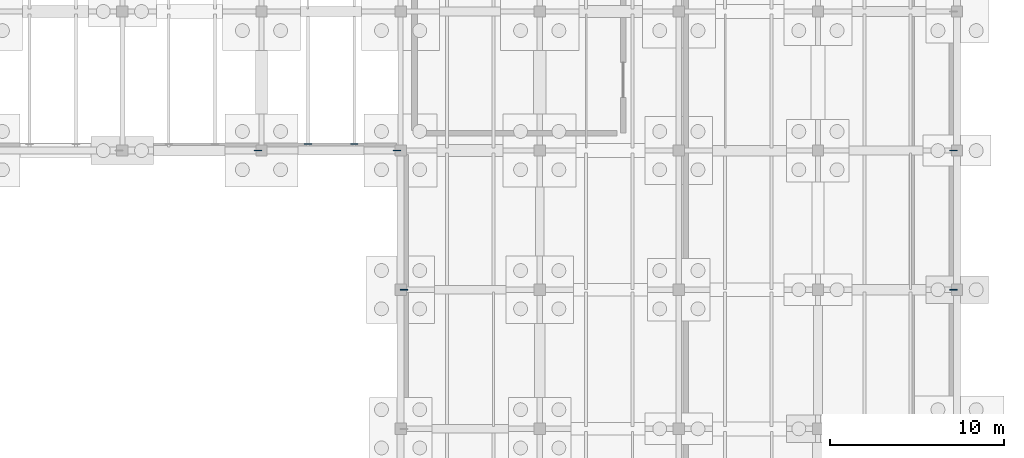
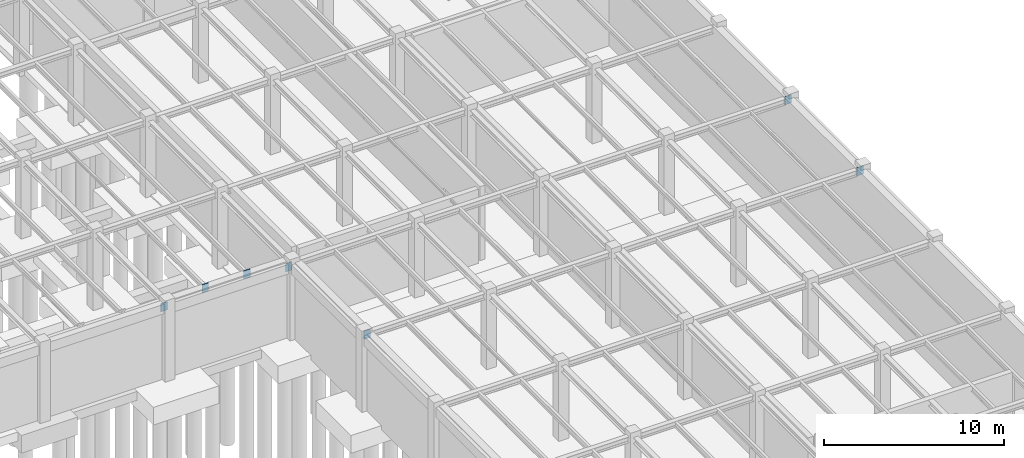
# One storey, part 49 of 71: 7 plates.
"""IFC4 building model written with IfcOpenShell, lengths in metres."""

from ifc_helpers import new_model, si_unit, direction, frame, origin, origin_2d, place, context, subcontext, project, spatial, rectangle, extrude, material, layer, layer_set, type_object, element, save


model = new_model("IFC4")

# Units and contexts
model_context = context("Model", 3, precision=1e-05, world=origin(), true_north=direction((0.0, 1.0)))
body_context = subcontext(model_context, "Body", "Model", "MODEL_VIEW")
ifc_project = project(units=[si_unit("LENGTHUNIT", "METRE"), si_unit("AREAUNIT", "SQUARE_METRE"), si_unit("VOLUMEUNIT", "CUBIC_METRE"), si_unit("PLANEANGLEUNIT", "RADIAN"), si_unit("MASSUNIT", "GRAM", prefix="KILO")], contexts=[model_context])

# Site, building, storey
site_placement = place(None, origin())
site = spatial("IfcSite", under=ifc_project, at=site_placement, CompositionType="ELEMENT")
building_placement = place(site_placement, origin())
building = spatial("IfcBuilding", under=site, at=building_placement, Name="Sundkrona Museum", CompositionType="ELEMENT")
storey_placement = place(building_placement, frame((0.0, 0.0, -5.39990234375)))
storey = spatial("IfcBuildingStorey", under=building, at=storey_placement, Name="B1", CompositionType="ELEMENT", Elevation=-5.39990234375)

# Plates
ifc_material = material(Name="Steel S355J2", Category="steel")
ifc_layer = layer(ifc_material, 0.034912109375)
ifc_layer_set = layer_set([ifc_layer], Name="Steel S355J2")
plate_type = type_object("IfcPlateType", Name="EP-1", PredefinedType="USERDEFINED", material=ifc_layer_set)
for number, where, z_axis, x_axis, name in (
    (1, (136.199951171875, 70.0, 4.56982421875), (0.0, 0.0, 1.0), (1.0, 0.0, 0.0), "Structural Wall Cast-In Embed Plate BM-B1-X-0093-1"),
    (2, (167.800048828125, 70.0, 4.56982421875), (0.0, 0.0, 1.0), (1.0, 0.0, 0.0), "Structural Wall Cast-In Embed Plate BM-B1-X-0096-2"),
    (3, (127.800048828125, 78.0, 4.514892578125), (0.0, 0.0, 1.0), (1.0, 0.0, 0.0), "Structural Wall Cast-In Embed Plate BM-B1-X-0111-2"),
    (4, (135.800048828125, 78.0, 4.419921875), (0.0, 0.0, 1.0), (1.0, 0.0, 0.0), "Structural Wall Cast-In Embed Plate BM-B1-X-0112-2"),
    (5, (167.800048828125, 78.0, 4.544921875), (0.0, 0.0, 1.0), (1.0, 0.0, 0.0), "Structural Wall Cast-In Embed Plate BM-B1-X-0116-2"),
    (6, (130.666748046875, 78.385498046875, 4.56494140625), (0.0, 0.0, 1.0), (1.0, 0.0, 0.0), "Structural Wall Cast-In Embed Plate JS-B1-0198-1"),
    (7, (133.333251953125, 78.385498046875, 4.56494140625), (0.0, 0.0, 1.0), (1.0, 0.0, 0.0), "Structural Wall Cast-In Embed Plate JS-B1-0199-1"),
):
    element("IfcPlate", number, at=place(storey_placement, frame(where, z_axis=z_axis, x_axis=x_axis)), inside=storey, type_object=plate_type, Name=name, ObjectType="GUSSET PLATE", PredefinedType="USERDEFINED", context=body_context, shape_type="SweptSolid", body=[
        extrude(rectangle(XDim=0.419921875, YDim=0.034912109375, at=origin_2d()), origin(), (0.0, 0.0, 1.0), 0.56005859375),
    ])

save(model, "model.ifc")
